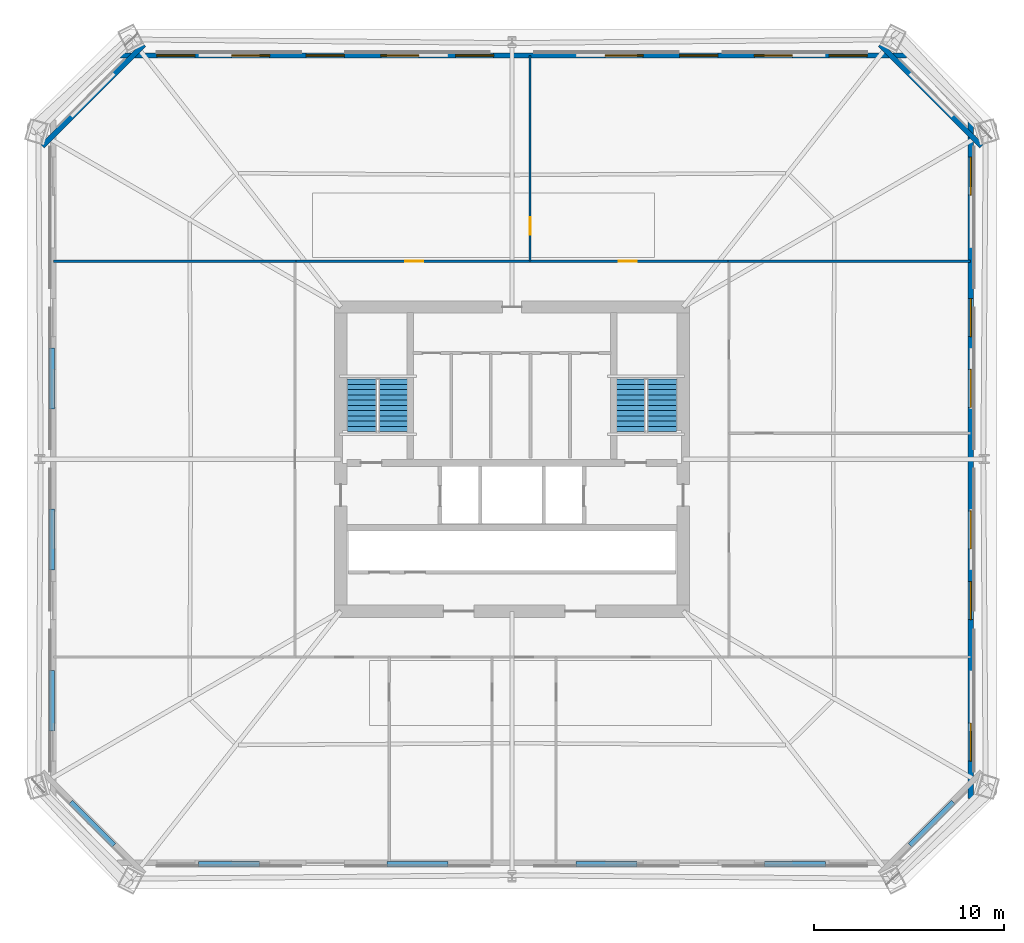
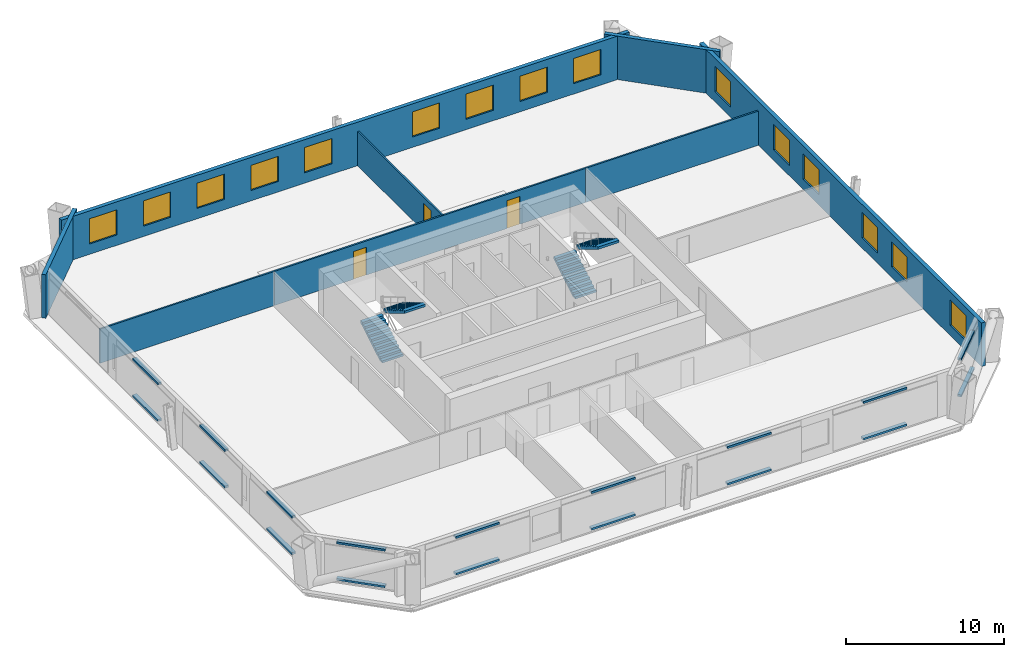
# One storey, part 6 of 10: 18 discrete accessories, 15 windows, 8 walls, 4 stair flights, 3 doors, 18 openings, 2 elements without a shape of their own.
"""IFC4 building model written with IfcOpenShell, lengths in metres."""

from ifc_helpers import new_model, si_unit, direction, frame, frame_2d, origin, origin_2d, place, context, subcontext, project, spatial, polyline, rectangle, outline, extrude, material, layer, layer_set, type_object, element, fill, aggregate, save


model = new_model("IFC4")

# Units and contexts
model_context = context("Model", 3, precision=1e-05, world=origin(), true_north=direction((0.0, 1.0)))
body_context = subcontext(model_context, "Body", "Model", "MODEL_VIEW")
ifc_project = project(units=[si_unit("LENGTHUNIT", "METRE"), si_unit("AREAUNIT", "SQUARE_METRE"), si_unit("VOLUMEUNIT", "CUBIC_METRE"), si_unit("PLANEANGLEUNIT", "RADIAN"), si_unit("MASSUNIT", "GRAM", prefix="KILO")], contexts=[model_context])

# Site, building, storey
site_placement = place(None, origin())
site = spatial("IfcSite", under=ifc_project, at=site_placement, CompositionType="ELEMENT")
building_placement = place(site_placement, origin())
building = spatial("IfcBuilding", under=site, at=building_placement, Name="Caelvoria Tower", CompositionType="ELEMENT")
storey_placement = place(building_placement, frame((0.0, 0.0, 56.800048828125)))
storey = spatial("IfcBuildingStorey", under=building, at=storey_placement, Name="L14", CompositionType="ELEMENT", Elevation=56.800048828125)

# Wall, openings, windows
ifc_material_1 = material(Name="Precast Concrete C40/50 with Bronze Cladding", Category="concrete")
ifc_layer_1 = layer(ifc_material_1, 0.280029296875, Name="Precast Concrete C40/50 with Bronze Cladding")
ifc_layer_set_1 = layer_set([ifc_layer_1], Name="Exterior Precast Concrete C40/50 Bronze-Clad Facade Wall 280 - Precast Concrete C40/50 with Bronze Cladding")
wall_type_1 = type_object("IfcWallType", Name="Exterior Precast Concrete C40/50 Bronze-Clad Facade Wall 280", PredefinedType="STANDARD", material=ifc_layer_set_1)
wall_1_placement = place(storey_placement, frame((70.1201171875, 14.159912109375, 0.0), z_axis=(0.0, 0.0, 1.0), x_axis=(0.0, 1.0, 0.0)))
wall_1 = element("IfcWall", 1, at=wall_1_placement, inside=storey, type_object=wall_type_1, Name="Exterior Facade Wall L14-E2", PredefinedType="STANDARD", context=body_context, shape_type="SweptSolid", body=[
    extrude(rectangle(XDim=35.68017578125, YDim=0.280029296875, at=frame_2d((17.840087890625, 0.0))), origin(), (0.0, 0.0, 1.0), 3.35986328125),
])
opening_1_placement = place(wall_1_placement, frame((1.9599609375, 0.0, 0.800048828125)))
opening_1 = element("IfcOpeningElement", 2, at=opening_1_placement, cuts=wall_1, Name="Opening WN-01", PredefinedType="OPENING", context=body_context, shape_type="SweptSolid", body=[
    extrude(rectangle(XDim=2.0, YDim=1.949951171875, at=frame_2d((1.0, 0.97509765625))), frame((0.0, 0.14990234375, 0.0), z_axis=(0.0, -1.0, 0.0), x_axis=(1.0, 0.0, 0.0)), (0.0, 0.0, 1.0), 0.300048828125),
])
opening_2_placement = place(wall_1_placement, frame((9.39990234375, 0.0, 0.800048828125)))
opening_2 = element("IfcOpeningElement", 3, at=opening_2_placement, cuts=wall_1, Name="Opening WN-01", PredefinedType="OPENING", context=body_context, shape_type="SweptSolid", body=[
    extrude(rectangle(XDim=2.0, YDim=1.949951171875, at=frame_2d((1.0, 0.97509765625))), frame((0.0, 0.14990234375, 0.0), z_axis=(0.0, -1.0, 0.0), x_axis=(1.0, 0.0, 0.0)), (0.0, 0.0, 1.0), 0.300048828125),
])
opening_3_placement = place(wall_1_placement, frame((13.1201171875, 0.0, 0.800048828125)))
opening_3 = element("IfcOpeningElement", 4, at=opening_3_placement, cuts=wall_1, Name="Opening WN-01", PredefinedType="OPENING", context=body_context, shape_type="SweptSolid", body=[
    extrude(rectangle(XDim=2.0, YDim=1.949951171875, at=frame_2d((1.0, 0.97509765625))), frame((0.0, 0.14990234375, 0.0), z_axis=(0.0, -1.0, 0.0), x_axis=(1.0, 0.0, 0.0)), (0.0, 0.0, 1.0), 0.300048828125),
])
opening_4_placement = place(wall_1_placement, frame((20.56005859375, 0.0, 0.800048828125)))
opening_4 = element("IfcOpeningElement", 5, at=opening_4_placement, cuts=wall_1, Name="Opening WN-01", PredefinedType="OPENING", context=body_context, shape_type="SweptSolid", body=[
    extrude(rectangle(XDim=2.0, YDim=1.949951171875, at=frame_2d((1.0, 0.97509765625))), frame((0.0, 0.14990234375, 0.0), z_axis=(0.0, -1.0, 0.0), x_axis=(1.0, 0.0, 0.0)), (0.0, 0.0, 1.0), 0.300048828125),
])
opening_5_placement = place(wall_1_placement, frame((24.280029296875, 0.0, 0.800048828125)))
opening_5 = element("IfcOpeningElement", 6, at=opening_5_placement, cuts=wall_1, Name="Opening WN-01", PredefinedType="OPENING", context=body_context, shape_type="SweptSolid", body=[
    extrude(rectangle(XDim=2.0, YDim=1.949951171875, at=frame_2d((1.0, 0.97509765625))), frame((0.0, 0.14990234375, 0.0), z_axis=(0.0, -1.0, 0.0), x_axis=(1.0, 0.0, 0.0)), (0.0, 0.0, 1.0), 0.300048828125),
])
opening_6_placement = place(wall_1_placement, frame((31.719970703125, 0.0, 0.800048828125)))
opening_6 = element("IfcOpeningElement", 7, at=opening_6_placement, cuts=wall_1, Name="Opening WN-01", PredefinedType="OPENING", context=body_context, shape_type="SweptSolid", body=[
    extrude(rectangle(XDim=2.0, YDim=1.949951171875, at=frame_2d((1.0, 0.97509765625))), frame((0.0, 0.14990234375, 0.0), z_axis=(0.0, -1.0, 0.0), x_axis=(1.0, 0.0, 0.0)), (0.0, 0.0, 1.0), 0.300048828125),
])
ifc_material_2 = material(Name="Low-E Tinted Glass in Bronze Aluminium Frame", Category="aluminium")
window_type = type_object("IfcWindowType", Name="Tower Office Vision Window 2000x1950", PartitioningType="SINGLE_PANEL", PredefinedType="WINDOW", material=ifc_material_2)
window_1_placement = place(opening_1_placement, origin())
window_1 = element("IfcWindow", 8, at=window_1_placement, inside=storey, type_object=window_type, Name="Facade Window L14-E2-00", OverallHeight=1.949951171875, OverallWidth=2.0, PartitioningType="SINGLE_PANEL", PredefinedType="WINDOW", context=body_context, shape_type="SweptSolid", body=[
    extrude(rectangle(XDim=2.0, YDim=1.949951171875, at=frame_2d((1.0, 0.97509765625))), frame((0.0, 0.030029296875, 0.0), z_axis=(0.0, -1.0, 0.0), x_axis=(1.0, 0.0, 0.0)), (0.0, 0.0, 1.0), 0.06005859375),
])
fill(opening_1, window_1)
window_2_placement = place(opening_2_placement, origin())
window_2 = element("IfcWindow", 9, at=window_2_placement, inside=storey, type_object=window_type, Name="Facade Window L14-E2-02", OverallHeight=1.949951171875, OverallWidth=2.0, PartitioningType="SINGLE_PANEL", PredefinedType="WINDOW", context=body_context, shape_type="SweptSolid", body=[
    extrude(rectangle(XDim=2.0, YDim=1.949951171875, at=frame_2d((1.0, 0.97509765625))), frame((0.0, 0.030029296875, 0.0), z_axis=(0.0, -1.0, 0.0), x_axis=(1.0, 0.0, 0.0)), (0.0, 0.0, 1.0), 0.06005859375),
])
fill(opening_2, window_2)
window_3_placement = place(opening_3_placement, origin())
window_3 = element("IfcWindow", 10, at=window_3_placement, inside=storey, type_object=window_type, Name="Facade Window L14-E2-03", OverallHeight=1.949951171875, OverallWidth=2.0, PartitioningType="SINGLE_PANEL", PredefinedType="WINDOW", context=body_context, shape_type="SweptSolid", body=[
    extrude(rectangle(XDim=2.0, YDim=1.949951171875, at=frame_2d((1.0, 0.97509765625))), frame((0.0, 0.030029296875, 0.0), z_axis=(0.0, -1.0, 0.0), x_axis=(1.0, 0.0, 0.0)), (0.0, 0.0, 1.0), 0.06005859375),
])
fill(opening_3, window_3)
window_4_placement = place(opening_4_placement, origin())
window_4 = element("IfcWindow", 11, at=window_4_placement, inside=storey, type_object=window_type, Name="Facade Window L14-E2-05", OverallHeight=1.949951171875, OverallWidth=2.0, PartitioningType="SINGLE_PANEL", PredefinedType="WINDOW", context=body_context, shape_type="SweptSolid", body=[
    extrude(rectangle(XDim=2.0, YDim=1.949951171875, at=frame_2d((1.0, 0.97509765625))), frame((0.0, 0.030029296875, 0.0), z_axis=(0.0, -1.0, 0.0), x_axis=(1.0, 0.0, 0.0)), (0.0, 0.0, 1.0), 0.06005859375),
])
fill(opening_4, window_4)
window_5_placement = place(opening_5_placement, origin())
window_5 = element("IfcWindow", 12, at=window_5_placement, inside=storey, type_object=window_type, Name="Facade Window L14-E2-06", OverallHeight=1.949951171875, OverallWidth=2.0, PartitioningType="SINGLE_PANEL", PredefinedType="WINDOW", context=body_context, shape_type="SweptSolid", body=[
    extrude(rectangle(XDim=2.0, YDim=1.949951171875, at=frame_2d((1.0, 0.97509765625))), frame((0.0, 0.030029296875, 0.0), z_axis=(0.0, -1.0, 0.0), x_axis=(1.0, 0.0, 0.0)), (0.0, 0.0, 1.0), 0.06005859375),
])
fill(opening_5, window_5)
window_6_placement = place(opening_6_placement, origin())
window_6 = element("IfcWindow", 13, at=window_6_placement, inside=storey, type_object=window_type, Name="Facade Window L14-E2-08", OverallHeight=1.949951171875, OverallWidth=2.0, PartitioningType="SINGLE_PANEL", PredefinedType="WINDOW", context=body_context, shape_type="SweptSolid", body=[
    extrude(rectangle(XDim=2.0, YDim=1.949951171875, at=frame_2d((1.0, 0.97509765625))), frame((0.0, 0.030029296875, 0.0), z_axis=(0.0, -1.0, 0.0), x_axis=(1.0, 0.0, 0.0)), (0.0, 0.0, 1.0), 0.06005859375),
])
fill(opening_6, window_6)

# Wall
wall_2_placement = place(storey_placement, frame((70.69384765625, 48.45458984375, 0.0), z_axis=(0.0, 0.0, 1.0), x_axis=(-0.707106781187, 0.707106781187, 0.0)))
element("IfcWall", 14, at=wall_2_placement, inside=storey, type_object=wall_type_1, Name="Exterior Facade Wall L14-E3", PredefinedType="STANDARD", context=body_context, shape_type="SweptSolid", body=[
    extrude(rectangle(XDim=7.551025390625, YDim=0.280029296875, at=frame_2d((3.775390625, 0.0))), origin(), (0.0, 0.0, 1.0), 3.35986328125),
])

# Wall, openings, windows
wall_3_placement = place(storey_placement, frame((66.739990234375, 53.219970703125, 0.0), z_axis=(0.0, 0.0, 1.0), x_axis=(-1.0, 0.0, 0.0)))
wall_3 = element("IfcWall", 15, at=wall_3_placement, inside=storey, type_object=wall_type_1, Name="Exterior Facade Wall L14-E4", PredefinedType="STANDARD", context=body_context, shape_type="SweptSolid", body=[
    extrude(rectangle(XDim=41.47998046875, YDim=0.280029296875, at=frame_2d((20.739990234375, 0.0))), origin(), (0.0, 0.0, 1.0), 3.35986328125),
])
opening_7_placement = place(wall_3_placement, frame((2.06396484375, 0.0, 0.800048828125)))
opening_7 = element("IfcOpeningElement", 16, at=opening_7_placement, cuts=wall_3, Name="Opening WN-01", PredefinedType="OPENING", context=body_context, shape_type="SweptSolid", body=[
    extrude(rectangle(XDim=2.0, YDim=1.949951171875, at=frame_2d((1.0, 0.97509765625))), frame((0.0, 0.14990234375, 0.0), z_axis=(0.0, -1.0, 0.0), x_axis=(1.0, 0.0, 0.0)), (0.0, 0.0, 1.0), 0.300048828125),
])
opening_8_placement = place(wall_3_placement, frame((5.991943359375, 0.0, 0.800048828125)))
opening_8 = element("IfcOpeningElement", 17, at=opening_8_placement, cuts=wall_3, Name="Opening WN-01", PredefinedType="OPENING", context=body_context, shape_type="SweptSolid", body=[
    extrude(rectangle(XDim=2.0, YDim=1.949951171875, at=frame_2d((1.0, 0.97509765625))), frame((0.0, 0.14990234375, 0.0), z_axis=(0.0, -1.0, 0.0), x_axis=(1.0, 0.0, 0.0)), (0.0, 0.0, 1.0), 0.300048828125),
])
opening_9_placement = place(wall_3_placement, frame((9.919921875, 0.0, 0.800048828125)))
opening_9 = element("IfcOpeningElement", 18, at=opening_9_placement, cuts=wall_3, Name="Opening WN-01", PredefinedType="OPENING", context=body_context, shape_type="SweptSolid", body=[
    extrude(rectangle(XDim=2.0, YDim=1.949951171875, at=frame_2d((1.0, 0.97509765625))), frame((0.0, 0.14990234375, 0.0), z_axis=(0.0, -1.0, 0.0), x_axis=(1.0, 0.0, 0.0)), (0.0, 0.0, 1.0), 0.300048828125),
])
opening_10_placement = place(wall_3_placement, frame((13.847900390625, 0.0, 0.800048828125)))
opening_10 = element("IfcOpeningElement", 19, at=opening_10_placement, cuts=wall_3, Name="Opening WN-01", PredefinedType="OPENING", context=body_context, shape_type="SweptSolid", body=[
    extrude(rectangle(XDim=2.0, YDim=1.949951171875, at=frame_2d((1.0, 0.97509765625))), frame((0.0, 0.14990234375, 0.0), z_axis=(0.0, -1.0, 0.0), x_axis=(1.0, 0.0, 0.0)), (0.0, 0.0, 1.0), 0.300048828125),
])
opening_11_placement = place(wall_3_placement, frame((21.7041015625, 0.0, 0.800048828125)))
opening_11 = element("IfcOpeningElement", 20, at=opening_11_placement, cuts=wall_3, Name="Opening WN-01", PredefinedType="OPENING", context=body_context, shape_type="SweptSolid", body=[
    extrude(rectangle(XDim=2.0, YDim=1.949951171875, at=frame_2d((1.0, 0.97509765625))), frame((0.0, 0.14990234375, 0.0), z_axis=(0.0, -1.0, 0.0), x_axis=(1.0, 0.0, 0.0)), (0.0, 0.0, 1.0), 0.300048828125),
])
opening_12_placement = place(wall_3_placement, frame((25.632080078125, 0.0, 0.800048828125)))
opening_12 = element("IfcOpeningElement", 21, at=opening_12_placement, cuts=wall_3, Name="Opening WN-01", PredefinedType="OPENING", context=body_context, shape_type="SweptSolid", body=[
    extrude(rectangle(XDim=2.0, YDim=1.949951171875, at=frame_2d((1.0, 0.97509765625))), frame((0.0, 0.14990234375, 0.0), z_axis=(0.0, -1.0, 0.0), x_axis=(1.0, 0.0, 0.0)), (0.0, 0.0, 1.0), 0.300048828125),
])
opening_13_placement = place(wall_3_placement, frame((29.56005859375, 0.0, 0.800048828125)))
opening_13 = element("IfcOpeningElement", 22, at=opening_13_placement, cuts=wall_3, Name="Opening WN-01", PredefinedType="OPENING", context=body_context, shape_type="SweptSolid", body=[
    extrude(rectangle(XDim=2.0, YDim=1.949951171875, at=frame_2d((1.0, 0.97509765625))), frame((0.0, 0.14990234375, 0.0), z_axis=(0.0, -1.0, 0.0), x_axis=(1.0, 0.0, 0.0)), (0.0, 0.0, 1.0), 0.300048828125),
])
opening_14_placement = place(wall_3_placement, frame((33.488037109375, 0.0, 0.800048828125)))
opening_14 = element("IfcOpeningElement", 23, at=opening_14_placement, cuts=wall_3, Name="Opening WN-01", PredefinedType="OPENING", context=body_context, shape_type="SweptSolid", body=[
    extrude(rectangle(XDim=2.0, YDim=1.949951171875, at=frame_2d((1.0, 0.97509765625))), frame((0.0, 0.14990234375, 0.0), z_axis=(0.0, -1.0, 0.0), x_axis=(1.0, 0.0, 0.0)), (0.0, 0.0, 1.0), 0.300048828125),
])
opening_15_placement = place(wall_3_placement, frame((37.416015625, 0.0, 0.800048828125)))
opening_15 = element("IfcOpeningElement", 24, at=opening_15_placement, cuts=wall_3, Name="Opening WN-01", PredefinedType="OPENING", context=body_context, shape_type="SweptSolid", body=[
    extrude(rectangle(XDim=2.0, YDim=1.949951171875, at=frame_2d((1.0, 0.97509765625))), frame((0.0, 0.14990234375, 0.0), z_axis=(0.0, -1.0, 0.0), x_axis=(1.0, 0.0, 0.0)), (0.0, 0.0, 1.0), 0.300048828125),
])
window_7_placement = place(opening_7_placement, origin())
window_7 = element("IfcWindow", 25, at=window_7_placement, inside=storey, type_object=window_type, Name="Facade Window L14-E4-00", OverallHeight=1.949951171875, OverallWidth=2.0, PartitioningType="SINGLE_PANEL", PredefinedType="WINDOW", context=body_context, shape_type="SweptSolid", body=[
    extrude(rectangle(XDim=2.0, YDim=1.949951171875, at=frame_2d((1.0, 0.97509765625))), frame((0.0, 0.030029296875, 0.0), z_axis=(0.0, -1.0, 0.0), x_axis=(1.0, 0.0, 0.0)), (0.0, 0.0, 1.0), 0.06005859375),
])
fill(opening_7, window_7)
window_8_placement = place(opening_8_placement, origin())
window_8 = element("IfcWindow", 26, at=window_8_placement, inside=storey, type_object=window_type, Name="Facade Window L14-E4-01", OverallHeight=1.949951171875, OverallWidth=2.0, PartitioningType="SINGLE_PANEL", PredefinedType="WINDOW", context=body_context, shape_type="SweptSolid", body=[
    extrude(rectangle(XDim=2.0, YDim=1.949951171875, at=frame_2d((1.0, 0.97509765625))), frame((0.0, 0.030029296875, 0.0), z_axis=(0.0, -1.0, 0.0), x_axis=(1.0, 0.0, 0.0)), (0.0, 0.0, 1.0), 0.06005859375),
])
fill(opening_8, window_8)
window_9_placement = place(opening_9_placement, origin())
window_9 = element("IfcWindow", 27, at=window_9_placement, inside=storey, type_object=window_type, Name="Facade Window L14-E4-02", OverallHeight=1.949951171875, OverallWidth=2.0, PartitioningType="SINGLE_PANEL", PredefinedType="WINDOW", context=body_context, shape_type="SweptSolid", body=[
    extrude(rectangle(XDim=2.0, YDim=1.949951171875, at=frame_2d((1.0, 0.97509765625))), frame((0.0, 0.030029296875, 0.0), z_axis=(0.0, -1.0, 0.0), x_axis=(1.0, 0.0, 0.0)), (0.0, 0.0, 1.0), 0.06005859375),
])
fill(opening_9, window_9)
window_10_placement = place(opening_10_placement, origin())
window_10 = element("IfcWindow", 28, at=window_10_placement, inside=storey, type_object=window_type, Name="Facade Window L14-E4-03", OverallHeight=1.949951171875, OverallWidth=2.0, PartitioningType="SINGLE_PANEL", PredefinedType="WINDOW", context=body_context, shape_type="SweptSolid", body=[
    extrude(rectangle(XDim=2.0, YDim=1.949951171875, at=frame_2d((1.0, 0.97509765625))), frame((0.0, 0.030029296875, 0.0), z_axis=(0.0, -1.0, 0.0), x_axis=(1.0, 0.0, 0.0)), (0.0, 0.0, 1.0), 0.06005859375),
])
fill(opening_10, window_10)
window_11_placement = place(opening_11_placement, origin())
window_11 = element("IfcWindow", 29, at=window_11_placement, inside=storey, type_object=window_type, Name="Facade Window L14-E4-05", OverallHeight=1.949951171875, OverallWidth=2.0, PartitioningType="SINGLE_PANEL", PredefinedType="WINDOW", context=body_context, shape_type="SweptSolid", body=[
    extrude(rectangle(XDim=2.0, YDim=1.949951171875, at=frame_2d((1.0, 0.97509765625))), frame((0.0, 0.030029296875, 0.0), z_axis=(0.0, -1.0, 0.0), x_axis=(1.0, 0.0, 0.0)), (0.0, 0.0, 1.0), 0.06005859375),
])
fill(opening_11, window_11)
window_12_placement = place(opening_12_placement, origin())
window_12 = element("IfcWindow", 30, at=window_12_placement, inside=storey, type_object=window_type, Name="Facade Window L14-E4-06", OverallHeight=1.949951171875, OverallWidth=2.0, PartitioningType="SINGLE_PANEL", PredefinedType="WINDOW", context=body_context, shape_type="SweptSolid", body=[
    extrude(rectangle(XDim=2.0, YDim=1.949951171875, at=frame_2d((1.0, 0.97509765625))), frame((0.0, 0.030029296875, 0.0), z_axis=(0.0, -1.0, 0.0), x_axis=(1.0, 0.0, 0.0)), (0.0, 0.0, 1.0), 0.06005859375),
])
fill(opening_12, window_12)
window_13_placement = place(opening_13_placement, origin())
window_13 = element("IfcWindow", 31, at=window_13_placement, inside=storey, type_object=window_type, Name="Facade Window L14-E4-07", OverallHeight=1.949951171875, OverallWidth=2.0, PartitioningType="SINGLE_PANEL", PredefinedType="WINDOW", context=body_context, shape_type="SweptSolid", body=[
    extrude(rectangle(XDim=2.0, YDim=1.949951171875, at=frame_2d((1.0, 0.97509765625))), frame((0.0, 0.030029296875, 0.0), z_axis=(0.0, -1.0, 0.0), x_axis=(1.0, 0.0, 0.0)), (0.0, 0.0, 1.0), 0.06005859375),
])
fill(opening_13, window_13)
window_14_placement = place(opening_14_placement, origin())
window_14 = element("IfcWindow", 32, at=window_14_placement, inside=storey, type_object=window_type, Name="Facade Window L14-E4-08", OverallHeight=1.949951171875, OverallWidth=2.0, PartitioningType="SINGLE_PANEL", PredefinedType="WINDOW", context=body_context, shape_type="SweptSolid", body=[
    extrude(rectangle(XDim=2.0, YDim=1.949951171875, at=frame_2d((1.0, 0.97509765625))), frame((0.0, 0.030029296875, 0.0), z_axis=(0.0, -1.0, 0.0), x_axis=(1.0, 0.0, 0.0)), (0.0, 0.0, 1.0), 0.06005859375),
])
fill(opening_14, window_14)
window_15_placement = place(opening_15_placement, origin())
window_15 = element("IfcWindow", 33, at=window_15_placement, inside=storey, type_object=window_type, Name="Facade Window L14-E4-09", OverallHeight=1.949951171875, OverallWidth=2.0, PartitioningType="SINGLE_PANEL", PredefinedType="WINDOW", context=body_context, shape_type="SweptSolid", body=[
    extrude(rectangle(XDim=2.0, YDim=1.949951171875, at=frame_2d((1.0, 0.97509765625))), frame((0.0, 0.030029296875, 0.0), z_axis=(0.0, -1.0, 0.0), x_axis=(1.0, 0.0, 0.0)), (0.0, 0.0, 1.0), 0.06005859375),
])
fill(opening_15, window_15)

# Wall
wall_4_placement = place(storey_placement, frame((26.6455078125, 53.7939453125, 0.0), z_axis=(0.0, 0.0, 1.0), x_axis=(-0.707106781187, -0.707106781187, 0.0)))
element("IfcWall", 34, at=wall_4_placement, inside=storey, type_object=wall_type_1, Name="Exterior Facade Wall L14-E5", PredefinedType="STANDARD", context=body_context, shape_type="SweptSolid", body=[
    extrude(rectangle(XDim=7.551025390625, YDim=0.280029296875, at=frame_2d((3.775390625, 0.0))), origin(), (0.0, 0.0, 1.0), 3.35986328125),
])

# Wall, opening, door
ifc_material_3 = material(Name="Acoustic Gypsum Board on Light-Gauge Stud", Category="gypsum")
ifc_layer_2 = layer(ifc_material_3, 0.1201171875, Name="Acoustic Gypsum Board on Light-Gauge Stud")
ifc_layer_set_2 = layer_set([ifc_layer_2], Name="Tenant Suite Acoustic Partition Wall 120 - Acoustic Gypsum Board on Light-Gauge Stud")
wall_type_2 = type_object("IfcWallType", Name="Tenant Suite Acoustic Partition Wall 120", PredefinedType="PARTITIONING", material=ifc_layer_set_2)
wall_5_placement = place(storey_placement, frame((46.9501953125, 42.409912109375, 0.0), z_axis=(0.0, 0.0, 1.0), x_axis=(0.0, 1.0, 0.0)))
wall_5 = element("IfcWall", 35, at=wall_5_placement, inside=storey, type_object=wall_type_2, Name="Interior Partition IW-L14-ND-00-0", PredefinedType="PARTITIONING", context=body_context, shape_type="SweptSolid", body=[
    extrude(rectangle(XDim=10.81005859375, YDim=0.1201171875, at=frame_2d((5.405029296875, 0.0))), origin(), (0.0, 0.0, 1.0), 2.639892578125),
])
opening_16_placement = place(wall_5_placement, frame((1.39990234375, 0.0, 0.0)))
opening_16 = element("IfcOpeningElement", 36, at=opening_16_placement, cuts=wall_5, Name="Opening ID-06", PredefinedType="OPENING", context=body_context, shape_type="SweptSolid", body=[
    extrude(rectangle(XDim=0.89990234375, YDim=2.14990234375, at=frame_2d((0.449951171875, 1.074951171875))), frame((0.0, 0.070068359375, 0.0), z_axis=(0.0, -1.0, 0.0), x_axis=(1.0, 0.0, 0.0)), (0.0, 0.0, 1.0), 0.14013671875),
])
ifc_material_4 = material(Name="Engineered Andean Oak Veneer Door", Category="wood")
door_type_1 = type_object("IfcDoorType", Name="Interior Timber Door 900x2150", OperationType="NOTDEFINED", PredefinedType="DOOR", material=ifc_material_4)
door_1_placement = place(opening_16_placement, origin())
door_1 = element("IfcDoor", 37, at=door_1_placement, inside=storey, type_object=door_type_1, Name="Interior Door DR-L14-NM-00-0", OperationType="SINGLE_SWING_RIGHT", OverallHeight=2.14990234375, OverallWidth=0.89990234375, PredefinedType="DOOR", context=body_context, shape_type="SweptSolid", body=[
    extrude(rectangle(XDim=0.89990234375, YDim=2.14990234375, at=frame_2d((0.449951171875, 1.074951171875))), frame((0.0, 0.02490234375, 0.0), z_axis=(0.0, -1.0, 0.0), x_axis=(1.0, 0.0, 0.0)), (0.0, 0.0, 1.0), 0.050048828125),
])
fill(opening_16, door_1)

# Wall, openings, doors
wall_6_placement = place(storey_placement, frame((34.64990234375, 42.409912109375, 0.0), z_axis=(0.0, 0.0, 1.0), x_axis=(1.0, 0.0, 0.0)))
wall_6 = element("IfcWall", 38, at=wall_6_placement, inside=storey, type_object=wall_type_2, Name="Interior Partition IW-L14-NCW-0", PredefinedType="PARTITIONING", context=body_context, shape_type="SweptSolid", body=[
    extrude(rectangle(XDim=22.7001953125, YDim=0.1201171875, at=frame_2d((11.35009765625, 0.0))), origin(), (0.0, 0.0, 1.0), 2.639892578125),
])
opening_17_placement = place(wall_6_placement, frame((5.7451171875, 0.0, 0.0)))
opening_17 = element("IfcOpeningElement", 39, at=opening_17_placement, cuts=wall_6, Name="Opening ID-05", PredefinedType="OPENING", context=body_context, shape_type="SweptSolid", body=[
    extrude(rectangle(XDim=0.949951171875, YDim=2.14990234375, at=frame_2d((0.47509765625, 1.074951171875))), frame((0.0, 0.070068359375, 0.0), z_axis=(0.0, -1.0, 0.0), x_axis=(1.0, 0.0, 0.0)), (0.0, 0.0, 1.0), 0.14013671875),
])
opening_18_placement = place(wall_6_placement, frame((16.955078125, 0.0, 0.0)))
opening_18 = element("IfcOpeningElement", 40, at=opening_18_placement, cuts=wall_6, Name="Opening ID-05", PredefinedType="OPENING", context=body_context, shape_type="SweptSolid", body=[
    extrude(rectangle(XDim=0.949951171875, YDim=2.14990234375, at=frame_2d((0.47509765625, 1.074951171875))), frame((0.0, 0.070068359375, 0.0), z_axis=(0.0, -1.0, 0.0), x_axis=(1.0, 0.0, 0.0)), (0.0, 0.0, 1.0), 0.14013671875),
])
door_type_2 = type_object("IfcDoorType", Name="Interior Timber Door 950x2150", OperationType="NOTDEFINED", PredefinedType="DOOR", material=ifc_material_4)
door_2_placement = place(opening_17_placement, origin())
door_2 = element("IfcDoor", 41, at=door_2_placement, inside=storey, type_object=door_type_2, Name="Interior Door DR-L14-NC-00-0", OperationType="SINGLE_SWING_LEFT", OverallHeight=2.14990234375, OverallWidth=0.949951171875, PredefinedType="DOOR", context=body_context, shape_type="SweptSolid", body=[
    extrude(rectangle(XDim=0.949951171875, YDim=2.14990234375, at=frame_2d((0.47509765625, 1.074951171875))), frame((0.0, 0.02490234375, 0.0), z_axis=(0.0, -1.0, 0.0), x_axis=(1.0, 0.0, 0.0)), (0.0, 0.0, 1.0), 0.050048828125),
])
fill(opening_17, door_2)
door_3_placement = place(opening_18_placement, origin())
door_3 = element("IfcDoor", 42, at=door_3_placement, inside=storey, type_object=door_type_2, Name="Interior Door DR-L14-NC-01-0", OperationType="SINGLE_SWING_RIGHT", OverallHeight=2.14990234375, OverallWidth=0.949951171875, PredefinedType="DOOR", context=body_context, shape_type="SweptSolid", body=[
    extrude(rectangle(XDim=0.949951171875, YDim=2.14990234375, at=frame_2d((0.47509765625, 1.074951171875))), frame((0.0, 0.02490234375, 0.0), z_axis=(0.0, -1.0, 0.0), x_axis=(1.0, 0.0, 0.0)), (0.0, 0.0, 1.0), 0.050048828125),
])
fill(opening_18, door_3)

# Walls
for number, where, z_axis, x_axis, name in (
    (43, (34.64990234375, 42.409912109375, 0.0), (0.0, 0.0, 1.0), (-1.0, 0.0, 0.0), "Interior Partition IW-L14-BNW-0"),
    (44, (57.35009765625, 42.409912109375, 0.0), (0.0, 0.0, 1.0), (1.0, 0.0, 0.0), "Interior Partition IW-L14-BNE-0"),
):
    element("IfcWall", number, at=place(storey_placement, frame(where, z_axis=z_axis, x_axis=x_axis)), inside=storey, type_object=wall_type_2, Name=name, PredefinedType="PARTITIONING", context=body_context, shape_type="SweptSolid", body=[
        extrude(rectangle(XDim=12.77001953125, YDim=0.1201171875, at=frame_2d((6.385009765625, 0.0))), origin(), (0.0, 0.0, 1.0), 2.639892578125),
    ])

# Stair, stair flights
ifc_material_5 = material(Name="Concrete C40/50", Category="concrete")
stair_type = type_object("IfcStairType", Name="Core Smokeproof Dogleg Stair Concrete C40/50", PredefinedType="HALF_TURN_STAIR", material=ifc_material_5)
stair_1_placement = place(storey_placement, origin())
stair_1 = element("IfcStair", 45, at=stair_1_placement, inside=storey, type_object=stair_type, Name="ST-01 Smokeproof Exit Stair L14", PredefinedType="HALF_TURN_STAIR")
ifc_material_6 = material(Name="Precast Concrete C40/50", Category="concrete")
stair_flight_type = type_object("IfcStairFlightType", Name="Precast Concrete C40/50 Stair Flight 1480", PredefinedType="STRAIGHT", material=ifc_material_6)
stair_flight_1_placement = place(storey_placement, frame((38.1298828125, 33.449951171875, 0.0), z_axis=(0.0, 0.0, 1.0), x_axis=(0.0, 1.0, 0.0)))
stair_flight_1 = element("IfcStairFlight", 46, at=stair_flight_1_placement, type_object=stair_flight_type, Name="ST-01 flight 1", NumberOfRisers=11, NumberOfTreads=10, PredefinedType="STRAIGHT", RiserHeight=0.1636, TreadLength=0.275, context=body_context, shape_type="SweptSolid", body=[
    extrude(outline(polyline([(0.0, 0.0), (0.0, 0.16357421875), (0.27490234375, 0.16357421875), (0.27490234375, 0.3271484375), (0.550048828125, 0.3271484375), (0.550048828125, 0.49072265625), (0.824951171875, 0.49072265625), (0.824951171875, 0.654296875), (1.10009765625, 0.654296875), (1.10009765625, 0.818115234375), (1.375, 0.818115234375), (1.375, 0.981689453125), (1.64990234375, 0.981689453125), (1.64990234375, 1.145263671875), (1.925048828125, 1.145263671875), (1.925048828125, 1.308837890625), (2.199951171875, 1.308837890625), (2.199951171875, 1.472412109375), (2.47509765625, 1.472412109375), (2.47509765625, 1.635986328125), (2.75, 1.635986328125), (2.75, 1.799560546875), (2.75, 1.449951171875), (0.312744140625, 0.0), (0.0, 0.0)])), frame((0.0, 0.77001953125, 0.0), z_axis=(0.0, -1.0, 0.0), x_axis=(1.0, 0.0, 0.0)), (0.0, 0.0, 1.0), 1.5400390625),
])
stair_flight_2_placement = place(storey_placement, frame((39.77001953125, 36.199951171875, 1.800048828125), z_axis=(0.0, 0.0, 1.0), x_axis=(0.0, -1.0, 0.0)))
stair_flight_2 = element("IfcStairFlight", 47, at=stair_flight_2_placement, type_object=stair_flight_type, Name="ST-01 flight 2", NumberOfRisers=11, NumberOfTreads=10, PredefinedType="STRAIGHT", RiserHeight=0.1636, TreadLength=0.275, context=body_context, shape_type="SweptSolid", body=[
    extrude(outline(polyline([(0.0, 0.0), (0.0, 0.16357421875), (0.27490234375, 0.16357421875), (0.27490234375, 0.3271484375), (0.550048828125, 0.3271484375), (0.550048828125, 0.49072265625), (0.824951171875, 0.49072265625), (0.824951171875, 0.654296875), (1.10009765625, 0.654296875), (1.10009765625, 0.818115234375), (1.375, 0.818115234375), (1.375, 0.981689453125), (1.64990234375, 0.981689453125), (1.64990234375, 1.145263671875), (1.925048828125, 1.145263671875), (1.925048828125, 1.308837890625), (2.199951171875, 1.308837890625), (2.199951171875, 1.472412109375), (2.47509765625, 1.472412109375), (2.47509765625, 1.635986328125), (2.75, 1.635986328125), (2.75, 1.799560546875), (2.75, 1.449951171875), (0.312744140625, 0.0), (0.0, 0.0)])), frame((0.0, 0.77001953125, 0.0), z_axis=(0.0, -1.0, 0.0), x_axis=(1.0, 0.0, 0.0)), (0.0, 0.0, 1.0), 1.5400390625),
])
aggregate(stair_1, [stair_flight_1, stair_flight_2])

stair_2_placement = place(storey_placement, origin())
stair_2 = element("IfcStair", 48, at=stair_2_placement, inside=storey, type_object=stair_type, Name="ST-02 Smokeproof Exit Stair L14", PredefinedType="HALF_TURN_STAIR")
stair_flight_3_placement = place(storey_placement, frame((52.22998046875, 33.449951171875, 0.0), z_axis=(0.0, 0.0, 1.0), x_axis=(0.0, 1.0, 0.0)))
stair_flight_3 = element("IfcStairFlight", 49, at=stair_flight_3_placement, type_object=stair_flight_type, Name="ST-02 flight 1", NumberOfRisers=11, NumberOfTreads=10, PredefinedType="STRAIGHT", RiserHeight=0.1636, TreadLength=0.275, context=body_context, shape_type="SweptSolid", body=[
    extrude(outline(polyline([(0.0, 0.0), (0.0, 0.16357421875), (0.27490234375, 0.16357421875), (0.27490234375, 0.3271484375), (0.550048828125, 0.3271484375), (0.550048828125, 0.49072265625), (0.824951171875, 0.49072265625), (0.824951171875, 0.654296875), (1.10009765625, 0.654296875), (1.10009765625, 0.818115234375), (1.375, 0.818115234375), (1.375, 0.981689453125), (1.64990234375, 0.981689453125), (1.64990234375, 1.145263671875), (1.925048828125, 1.145263671875), (1.925048828125, 1.308837890625), (2.199951171875, 1.308837890625), (2.199951171875, 1.472412109375), (2.47509765625, 1.472412109375), (2.47509765625, 1.635986328125), (2.75, 1.635986328125), (2.75, 1.799560546875), (2.75, 1.449951171875), (0.312744140625, 0.0), (0.0, 0.0)])), frame((0.0, 0.77001953125, 0.0), z_axis=(0.0, -1.0, 0.0), x_axis=(1.0, 0.0, 0.0)), (0.0, 0.0, 1.0), 1.5400390625),
])
stair_flight_4_placement = place(storey_placement, frame((53.8701171875, 36.199951171875, 1.800048828125), z_axis=(0.0, 0.0, 1.0), x_axis=(0.0, -1.0, 0.0)))
stair_flight_4 = element("IfcStairFlight", 50, at=stair_flight_4_placement, type_object=stair_flight_type, Name="ST-02 flight 2", NumberOfRisers=11, NumberOfTreads=10, PredefinedType="STRAIGHT", RiserHeight=0.1636, TreadLength=0.275, context=body_context, shape_type="SweptSolid", body=[
    extrude(outline(polyline([(0.0, 0.0), (0.0, 0.16357421875), (0.27490234375, 0.16357421875), (0.27490234375, 0.3271484375), (0.550048828125, 0.3271484375), (0.550048828125, 0.49072265625), (0.824951171875, 0.49072265625), (0.824951171875, 0.654296875), (1.10009765625, 0.654296875), (1.10009765625, 0.818115234375), (1.375, 0.818115234375), (1.375, 0.981689453125), (1.64990234375, 0.981689453125), (1.64990234375, 1.145263671875), (1.925048828125, 1.145263671875), (1.925048828125, 1.308837890625), (2.199951171875, 1.308837890625), (2.199951171875, 1.472412109375), (2.47509765625, 1.472412109375), (2.47509765625, 1.635986328125), (2.75, 1.635986328125), (2.75, 1.799560546875), (2.75, 1.449951171875), (0.312744140625, 0.0), (0.0, 0.0)])), frame((0.0, 0.77001953125, 0.0), z_axis=(0.0, -1.0, 0.0), x_axis=(1.0, 0.0, 0.0)), (0.0, 0.0, 1.0), 1.5400390625),
])
aggregate(stair_2, [stair_flight_3, stair_flight_4])

# Discrete accessories
ifc_material_7 = material(Name="Anodised Bronze Stainless Bracket", Category="bronze")
discrete_accessory_type = type_object("IfcDiscreteAccessoryType", Name="Solar Screen Outrigger Support Bracket", PredefinedType="BRACKET", material=ifc_material_7)
for number, where, z_axis, x_axis, name in (
    (51, (31.1201171875, 10.702880859375, 0.240234375), (0.0, 0.0, 1.0), (1.0, 0.0, 0.0), "Solar Screen Bracket L14-E0-00"),
    (52, (31.1201171875, 10.702880859375, 3.06005859375), (0.0, 0.0, 1.0), (1.0, 0.0, 0.0), "Upper Screen Band Bracket L14-E0-00"),
    (53, (41.0400390625, 10.702880859375, 0.240234375), (0.0, 0.0, 1.0), (1.0, 0.0, 0.0), "Solar Screen Bracket L14-E0-01"),
    (54, (41.0400390625, 10.702880859375, 3.06005859375), (0.0, 0.0, 1.0), (1.0, 0.0, 0.0), "Upper Screen Band Bracket L14-E0-01"),
    (55, (50.9599609375, 10.702880859375, 0.240234375), (0.0, 0.0, 1.0), (1.0, 0.0, 0.0), "Solar Screen Bracket L14-E0-02"),
    (56, (50.9599609375, 10.702880859375, 3.06005859375), (0.0, 0.0, 1.0), (1.0, 0.0, 0.0), "Upper Screen Band Bracket L14-E0-02"),
    (57, (60.8798828125, 10.702880859375, 0.240234375), (0.0, 0.0, 1.0), (1.0, 0.0, 0.0), "Solar Screen Bracket L14-E0-03"),
    (58, (60.8798828125, 10.702880859375, 3.06005859375), (0.0, 0.0, 1.0), (1.0, 0.0, 0.0), "Upper Screen Band Bracket L14-E0-03"),
    (59, (68.07861328125, 12.8212890625, 0.240234375), (0.0, 0.0, 1.0), (0.707106781187, 0.707106781187, 0.0), "Solar Screen Bracket L14-E1-00"),
    (60, (68.07861328125, 12.8212890625, 3.06005859375), (0.0, 0.0, 1.0), (0.707106781187, 0.707106781187, 0.0), "Upper Screen Band Bracket L14-E1-00"),
    (61, (21.802978515625, 36.235107421875, 0.240234375), (0.0, 0.0, 1.0), (0.0, -1.0, 0.0), "Solar Screen Bracket L14-E6-01"),
    (62, (21.802978515625, 36.235107421875, 3.06005859375), (0.0, 0.0, 1.0), (0.0, -1.0, 0.0), "Upper Screen Band Bracket L14-E6-01"),
    (63, (21.802978515625, 27.764892578125, 0.240234375), (0.0, 0.0, 1.0), (0.0, -1.0, 0.0), "Solar Screen Bracket L14-E6-02"),
    (64, (21.802978515625, 27.764892578125, 3.06005859375), (0.0, 0.0, 1.0), (0.0, -1.0, 0.0), "Upper Screen Band Bracket L14-E6-02"),
    (65, (21.802978515625, 19.294921875, 0.240234375), (0.0, 0.0, 1.0), (0.0, -1.0, 0.0), "Solar Screen Bracket L14-E6-03"),
    (66, (21.802978515625, 19.294921875, 3.06005859375), (0.0, 0.0, 1.0), (0.0, -1.0, 0.0), "Upper Screen Band Bracket L14-E6-03"),
    (67, (23.92138671875, 12.8212890625, 0.240234375), (0.0, 0.0, 1.0), (0.707106781187, -0.707106781187, 0.0), "Solar Screen Bracket L14-E7-00"),
    (68, (23.92138671875, 12.8212890625, 3.06005859375), (0.0, 0.0, 1.0), (0.707106781187, -0.707106781187, 0.0), "Upper Screen Band Bracket L14-E7-00"),
):
    element("IfcDiscreteAccessory", number, at=place(storey_placement, frame(where, z_axis=z_axis, x_axis=x_axis)), inside=storey, type_object=discrete_accessory_type, Name=name, PredefinedType="BRACKET", context=body_context, shape_type="SweptSolid", body=[
        extrude(rectangle(XDim=3.199951171875, YDim=0.280029296875, at=origin_2d()), origin(), (0.0, 0.0, 1.0), 0.159912109375),
    ])

save(model, "model.ifc")
